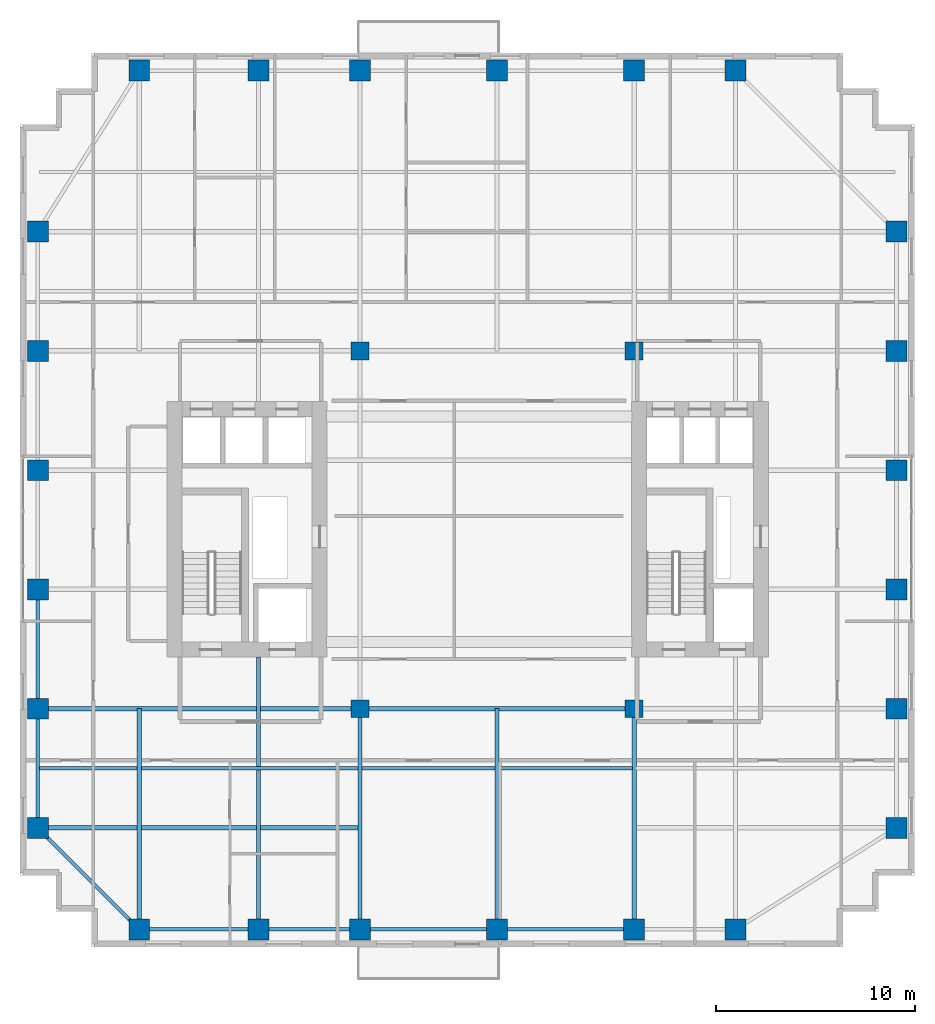
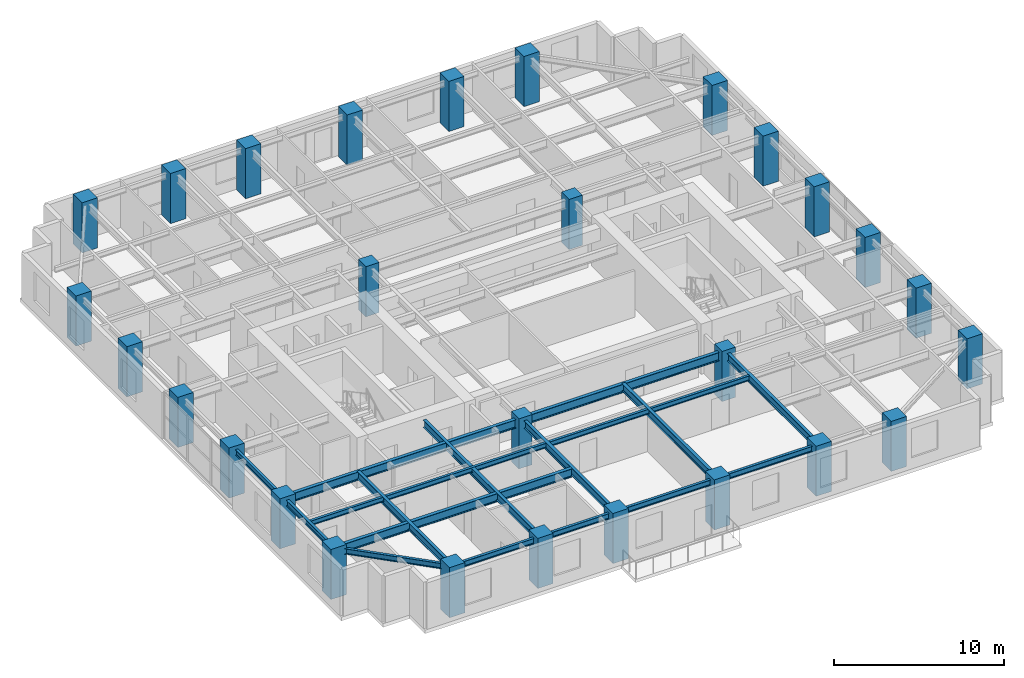
# One storey, part 1 of 14: 28 columns, 17 beams.
"""IFC4 building model written with IfcOpenShell, lengths in metres."""

from ifc_helpers import new_model, si_unit, direction, frame, origin, origin_2d, place, context, subcontext, project, spatial, rectangle, i_section, extrude, source, transform, mapped, material, material_profile, profile_set, type_object, element, save


model = new_model("IFC4")

# Units and contexts
model_context = context("Model", 3, precision=1e-05, world=origin(), true_north=direction((0.0, 1.0)))
body_context = subcontext(model_context, "Body", "Model", "MODEL_VIEW")
ifc_project = project(units=[si_unit("LENGTHUNIT", "METRE"), si_unit("AREAUNIT", "SQUARE_METRE"), si_unit("VOLUMEUNIT", "CUBIC_METRE"), si_unit("PLANEANGLEUNIT", "RADIAN"), si_unit("MASSUNIT", "GRAM", prefix="KILO")], contexts=[model_context])

# Site, building, storey
site_placement = place(None, origin())
site = spatial("IfcSite", under=ifc_project, at=site_placement, CompositionType="ELEMENT")
building_placement = place(site_placement, origin())
building = spatial("IfcBuilding", under=site, at=building_placement, Name="Khoralis Quay Care Tower", CompositionType="ELEMENT")
storey_placement = place(building_placement, frame((0.0, 0.0, 108.89990234375)))
storey = spatial("IfcBuildingStorey", under=building, at=storey_placement, Name="L28", CompositionType="ELEMENT", Elevation=108.89990234375)

# Columns
ifc_material_1 = material(Name="Concrete C65/80", Category="concrete")
ifc_material_profile_1 = material_profile(ifc_material_1, rectangle(XDim=1.050048828125, YDim=1.050048828125, at=origin_2d()), Name="Concrete C65/80")
ifc_profile_set_1 = profile_set([ifc_material_profile_1], Name="Concrete C65/80")
column_type_1 = type_object("IfcColumnType", Name="COL-C1050", PredefinedType="COLUMN", material=ifc_profile_set_1)
shared_shape_1 = source(origin(), body_context, "Body", "SweptSolid", [
    extrude(rectangle(XDim=1.050048828125, YDim=1.050048828125, at=origin_2d()), origin(), (0.0, 0.0, 1.0), 3.60009765625),
])
for number, where, z_axis, x_axis, name in (
    (1, (6.0, 0.89990234375, 0.0), (0.0, 0.0, 1.0), (1.0, 0.0, 0.0), "COL-TWR-L28-01"),
    (2, (6.0, 44.10009765625, 0.0), (0.0, 0.0, 1.0), (1.0, 0.0, 0.0), "COL-TWR-L28-02"),
    (3, (12.0, 0.89990234375, 0.0), (0.0, 0.0, 1.0), (1.0, 0.0, 0.0), "COL-TWR-L28-03"),
    (4, (12.0, 44.10009765625, 0.0), (0.0, 0.0, 1.0), (1.0, 0.0, 0.0), "COL-TWR-L28-04"),
    (5, (17.10009765625, 0.89990234375, 0.0), (0.0, 0.0, 1.0), (1.0, 0.0, 0.0), "COL-TWR-L28-05"),
    (6, (17.10009765625, 44.10009765625, 0.0), (0.0, 0.0, 1.0), (1.0, 0.0, 0.0), "COL-TWR-L28-06"),
    (7, (24.0, 0.89990234375, 0.0), (0.0, 0.0, 1.0), (1.0, 0.0, 0.0), "COL-TWR-L28-07"),
    (8, (24.0, 44.10009765625, 0.0), (0.0, 0.0, 1.0), (1.0, 0.0, 0.0), "COL-TWR-L28-08"),
    (9, (30.89990234375, 0.89990234375, 0.0), (0.0, 0.0, 1.0), (1.0, 0.0, 0.0), "COL-TWR-L28-09"),
    (10, (30.89990234375, 44.10009765625, 0.0), (0.0, 0.0, 1.0), (1.0, 0.0, 0.0), "COL-TWR-L28-10"),
    (11, (36.0, 0.89990234375, 0.0), (0.0, 0.0, 1.0), (1.0, 0.0, 0.0), "COL-TWR-L28-11"),
    (12, (36.0, 44.10009765625, 0.0), (0.0, 0.0, 1.0), (1.0, 0.0, 0.0), "COL-TWR-L28-12"),
    (13, (0.89990234375, 6.0, 0.0), (0.0, 0.0, 1.0), (1.0, 0.0, 0.0), "COL-TWR-L28-13"),
    (14, (44.10009765625, 6.0, 0.0), (0.0, 0.0, 1.0), (1.0, 0.0, 0.0), "COL-TWR-L28-14"),
    (15, (0.89990234375, 12.0, 0.0), (0.0, 0.0, 1.0), (1.0, 0.0, 0.0), "COL-TWR-L28-15"),
    (16, (44.10009765625, 12.0, 0.0), (0.0, 0.0, 1.0), (1.0, 0.0, 0.0), "COL-TWR-L28-16"),
    (17, (0.89990234375, 18.0, 0.0), (0.0, 0.0, 1.0), (1.0, 0.0, 0.0), "COL-TWR-L28-17"),
    (18, (44.10009765625, 18.0, 0.0), (0.0, 0.0, 1.0), (1.0, 0.0, 0.0), "COL-TWR-L28-18"),
    (19, (0.89990234375, 24.0, 0.0), (0.0, 0.0, 1.0), (1.0, 0.0, 0.0), "COL-TWR-L28-19"),
    (20, (44.10009765625, 24.0, 0.0), (0.0, 0.0, 1.0), (1.0, 0.0, 0.0), "COL-TWR-L28-20"),
    (21, (0.89990234375, 30.0, 0.0), (0.0, 0.0, 1.0), (1.0, 0.0, 0.0), "COL-TWR-L28-21"),
    (22, (44.10009765625, 30.0, 0.0), (0.0, 0.0, 1.0), (1.0, 0.0, 0.0), "COL-TWR-L28-22"),
    (23, (0.89990234375, 36.0, 0.0), (0.0, 0.0, 1.0), (1.0, 0.0, 0.0), "COL-TWR-L28-23"),
    (24, (44.10009765625, 36.0, 0.0), (0.0, 0.0, 1.0), (1.0, 0.0, 0.0), "COL-TWR-L28-24"),
):
    element("IfcColumn", number, at=place(storey_placement, frame(where, z_axis=z_axis, x_axis=x_axis)), inside=storey, type_object=column_type_1, Name=name, PredefinedType="COLUMN", context=body_context, shape_type="MappedRepresentation", body=[
        mapped(shared_shape_1, transform((0.0, 0.0, 0.0), scale=1.0)),
    ])
ifc_material_profile_2 = material_profile(ifc_material_1, rectangle(XDim=0.89990234375, YDim=0.89990234375, at=origin_2d()), Name="Concrete C65/80")
ifc_profile_set_2 = profile_set([ifc_material_profile_2], Name="Concrete C65/80")
column_type_2 = type_object("IfcColumnType", Name="COL-C900", PredefinedType="COLUMN", material=ifc_profile_set_2)
shared_shape_2 = source(origin(), body_context, "Body", "SweptSolid", [
    extrude(rectangle(XDim=0.89990234375, YDim=0.89990234375, at=origin_2d()), origin(), (0.0, 0.0, 1.0), 3.60009765625),
])
for number, where, z_axis, x_axis, name in (
    (25, (17.10009765625, 12.0, 0.0), (0.0, 0.0, 1.0), (1.0, 0.0, 0.0), "COL-TWR-L28-25"),
    (26, (17.10009765625, 30.0, 0.0), (0.0, 0.0, 1.0), (1.0, 0.0, 0.0), "COL-TWR-L28-26"),
    (27, (30.89990234375, 12.0, 0.0), (0.0, 0.0, 1.0), (1.0, 0.0, 0.0), "COL-TWR-L28-27"),
    (28, (30.89990234375, 30.0, 0.0), (0.0, 0.0, 1.0), (1.0, 0.0, 0.0), "COL-TWR-L28-28"),
):
    element("IfcColumn", number, at=place(storey_placement, frame(where, z_axis=z_axis, x_axis=x_axis)), inside=storey, type_object=column_type_2, Name=name, PredefinedType="COLUMN", context=body_context, shape_type="MappedRepresentation", body=[
        mapped(shared_shape_2, transform((0.0, 0.0, 0.0), scale=1.0)),
    ])

# Beams
ifc_material_2 = material(Name="Steel S355", Category="steel")
ifc_material_profile_3 = material_profile(ifc_material_2, i_section(OverallWidth=0.179931640625, OverallDepth=0.39990234375, WebThickness=0.008544921875, FlangeThickness=0.013427734375, FilletRadius=0.02099609375, at=origin_2d()), Name="Steel S355")
ifc_profile_set_3 = profile_set([ifc_material_profile_3], Name="Steel S355")
beam_type_1 = type_object("IfcBeamType", Name="BM-IPE400", PredefinedType="SPANDREL", material=ifc_profile_set_3)
shared_shape_3 = source(origin(), body_context, "Body", "SweptSolid", [
    extrude(i_section(OverallWidth=0.179931640625, OverallDepth=0.39990234375, WebThickness=0.008544921875, FlangeThickness=0.013427734375, FilletRadius=0.02099609375, at=origin_2d()), origin(), (0.0, 0.0, 1.0), 6.0),
])
for number, where, z_axis, x_axis, name in (
    (29, (6.0, 0.89990234375, 3.14013671875), (1.0, 0.0, 0.0), (0.0, 1.0, 0.0), "BM-TSP-L28-01"),
    (30, (0.89990234375, 6.0, 3.14013671875), (0.0, 1.0, 0.0), (-1.0, 0.0, 0.0), "BM-TSP-L28-11"),
    (31, (0.89990234375, 12.0, 3.14013671875), (0.0, 1.0, 0.0), (-1.0, 0.0, 0.0), "BM-TSP-L28-12"),
):
    element("IfcBeam", number, at=place(storey_placement, frame(where, z_axis=z_axis, x_axis=x_axis)), inside=storey, type_object=beam_type_1, Name=name, PredefinedType="SPANDREL", context=body_context, shape_type="MappedRepresentation", body=[
        mapped(shared_shape_3, transform((0.0, 0.0, 0.0), scale=1.0)),
    ])
shared_shape_4 = source(origin(), body_context, "Body", "SweptSolid", [
    extrude(i_section(OverallWidth=0.179931640625, OverallDepth=0.39990234375, WebThickness=0.008544921875, FlangeThickness=0.013427734375, FilletRadius=0.02099609375, at=origin_2d()), origin(), (0.0, 0.0, 1.0), 5.10009765625),
])
beam_1_placement = place(storey_placement, frame((12.0, 0.89990234375, 3.14013671875), z_axis=(1.0, 0.0, 0.0), x_axis=(0.0, 1.0, 0.0)))
element("IfcBeam", 32, at=beam_1_placement, inside=storey, type_object=beam_type_1, Name="BM-TSP-L28-02", PredefinedType="SPANDREL", context=body_context, shape_type="MappedRepresentation", body=[
    mapped(shared_shape_4, transform((0.0, 0.0, 0.0), scale=1.0)),
])
shared_shape_5 = source(origin(), body_context, "Body", "SweptSolid", [
    extrude(i_section(OverallWidth=0.179931640625, OverallDepth=0.39990234375, WebThickness=0.008544921875, FlangeThickness=0.013427734375, FilletRadius=0.02099609375, at=origin_2d()), origin(), (0.0, 0.0, 1.0), 6.89990234375),
])
for number, where, z_axis, x_axis, name in (
    (33, (17.10009765625, 0.89990234375, 3.14013671875), (1.0, 0.0, 0.0), (0.0, 1.0, 0.0), "BM-TSP-L28-03"),
    (34, (24.0, 0.89990234375, 3.14013671875), (1.0, 0.0, 0.0), (0.0, 1.0, 0.0), "BM-TSP-L28-04"),
):
    element("IfcBeam", number, at=place(storey_placement, frame(where, z_axis=z_axis, x_axis=x_axis)), inside=storey, type_object=beam_type_1, Name=name, PredefinedType="SPANDREL", context=body_context, shape_type="MappedRepresentation", body=[
        mapped(shared_shape_5, transform((0.0, 0.0, 0.0), scale=1.0)),
    ])
shared_shape_6 = source(origin(), body_context, "Body", "SweptSolid", [
    extrude(i_section(OverallWidth=0.179931640625, OverallDepth=0.39990234375, WebThickness=0.008544921875, FlangeThickness=0.013427734375, FilletRadius=0.02099609375, at=origin_2d()), origin(), (0.0, 0.0, 1.0), 7.212646484375),
])
beam_2_placement = place(storey_placement, frame((6.0, 0.89990234375, 3.14013671875), z_axis=(-0.707106781187, 0.707106781187, 0.0), x_axis=(-0.707106781187, -0.707106781187, 0.0)))
element("IfcBeam", 35, at=beam_2_placement, inside=storey, type_object=beam_type_1, Name="BM-TCR-L28-21", PredefinedType="SPANDREL", context=body_context, shape_type="MappedRepresentation", body=[
    mapped(shared_shape_6, transform((0.0, 0.0, 0.0), scale=1.0)),
])
ifc_material_profile_4 = material_profile(ifc_material_2, i_section(OverallWidth=0.22998046875, OverallDepth=0.616943359375, WebThickness=0.01318359375, FlangeThickness=0.022216796875, FilletRadius=0.01806640625, at=origin_2d()), Name="Steel S355")
ifc_profile_set_4 = profile_set([ifc_material_profile_4], Name="Steel S355")
beam_type_2 = type_object("IfcBeamType", Name="BM-W610X140", PredefinedType="BEAM", material=ifc_profile_set_4)
shared_shape_7 = source(origin(), body_context, "Body", "SweptSolid", [
    extrude(i_section(OverallWidth=0.22998046875, OverallDepth=0.616943359375, WebThickness=0.01318359375, FlangeThickness=0.022216796875, FilletRadius=0.01806640625, at=origin_2d()), origin(), (0.0, 0.0, 1.0), 16.106201171875),
])
beam_3_placement = place(storey_placement, frame((0.89990234375, 6.0, 3.031494140625), z_axis=(1.0, 0.0, 0.0), x_axis=(0.0, 1.0, 0.0)))
element("IfcBeam", 36, at=beam_3_placement, inside=storey, type_object=beam_type_2, Name="BM-TGXW-L28-60", PredefinedType="BEAM", context=body_context, shape_type="MappedRepresentation", body=[
    mapped(shared_shape_7, transform((0.0, 0.0, 0.0), scale=1.0)),
])
shared_shape_8 = source(origin(), body_context, "Body", "SweptSolid", [
    extrude(i_section(OverallWidth=0.22998046875, OverallDepth=0.616943359375, WebThickness=0.01318359375, FlangeThickness=0.022216796875, FilletRadius=0.01806640625, at=origin_2d()), origin(), (0.0, 0.0, 1.0), 16.2001953125),
])
beam_4_placement = place(storey_placement, frame((0.89990234375, 12.0, 3.031494140625), z_axis=(1.0, 0.0, 0.0), x_axis=(0.0, 1.0, 0.0)))
element("IfcBeam", 37, at=beam_4_placement, inside=storey, type_object=beam_type_2, Name="BM-TGXW-L28-120", PredefinedType="BEAM", context=body_context, shape_type="MappedRepresentation", body=[
    mapped(shared_shape_8, transform((0.0, 0.0, 0.0), scale=1.0)),
])
shared_shape_9 = source(origin(), body_context, "Body", "SweptSolid", [
    extrude(i_section(OverallWidth=0.22998046875, OverallDepth=0.616943359375, WebThickness=0.01318359375, FlangeThickness=0.022216796875, FilletRadius=0.01806640625, at=origin_2d()), origin(), (0.0, 0.0, 1.0), 13.7998046875),
])
beam_5_placement = place(storey_placement, frame((17.10009765625, 12.0, 3.031494140625), z_axis=(1.0, 0.0, 0.0), x_axis=(0.0, 1.0, 0.0)))
element("IfcBeam", 38, at=beam_5_placement, inside=storey, type_object=beam_type_2, Name="BM-TGCC-L28-120", PredefinedType="BEAM", context=body_context, shape_type="MappedRepresentation", body=[
    mapped(shared_shape_9, transform((0.0, 0.0, 0.0), scale=1.0)),
])
ifc_material_profile_5 = material_profile(ifc_material_2, i_section(OverallWidth=0.2119140625, OverallDepth=0.5439453125, WebThickness=0.01318359375, FlangeThickness=0.021240234375, FilletRadius=0.01611328125, at=origin_2d()), Name="Steel S355")
ifc_profile_set_5 = profile_set([ifc_material_profile_5], Name="Steel S355")
beam_type_3 = type_object("IfcBeamType", Name="BM-W530X123", PredefinedType="BEAM", material=ifc_profile_set_5)
shared_shape_10 = source(origin(), body_context, "Body", "SweptSolid", [
    extrude(i_section(OverallWidth=0.2119140625, OverallDepth=0.5439453125, WebThickness=0.01318359375, FlangeThickness=0.021240234375, FilletRadius=0.01611328125, at=origin_2d()), origin(), (0.0, 0.0, 1.0), 11.10009765625),
])
for number, where, z_axis, x_axis, name in (
    (39, (6.0, 0.89990234375, 3.068115234375), (0.0, 1.0, 0.0), (-1.0, 0.0, 0.0), "BM-TGYS-L28-60"),
    (40, (17.10009765625, 0.89990234375, 3.068115234375), (0.0, 1.0, 0.0), (-1.0, 0.0, 0.0), "BM-TGYS-L28-171"),
    (41, (24.0, 0.89990234375, 3.068115234375), (0.0, 1.0, 0.0), (-1.0, 0.0, 0.0), "BM-TGYS-L28-240"),
    (42, (30.89990234375, 0.89990234375, 3.068115234375), (0.0, 1.0, 0.0), (-1.0, 0.0, 0.0), "BM-TGYS-L28-309"),
):
    element("IfcBeam", number, at=place(storey_placement, frame(where, z_axis=z_axis, x_axis=x_axis)), inside=storey, type_object=beam_type_3, Name=name, PredefinedType="BEAM", context=body_context, shape_type="MappedRepresentation", body=[
        mapped(shared_shape_10, transform((0.0, 0.0, 0.0), scale=1.0)),
    ])
shared_shape_11 = source(origin(), body_context, "Body", "SweptSolid", [
    extrude(i_section(OverallWidth=0.2119140625, OverallDepth=0.5439453125, WebThickness=0.01318359375, FlangeThickness=0.021240234375, FilletRadius=0.01611328125, at=origin_2d()), origin(), (0.0, 0.0, 1.0), 13.7021484375),
])
beam_6_placement = place(storey_placement, frame((12.0, 0.89990234375, 3.068115234375), z_axis=(0.0, 1.0, 0.0), x_axis=(-1.0, 0.0, 0.0)))
element("IfcBeam", 43, at=beam_6_placement, inside=storey, type_object=beam_type_3, Name="BM-TGYS-L28-120", PredefinedType="BEAM", context=body_context, shape_type="MappedRepresentation", body=[
    mapped(shared_shape_11, transform((0.0, 0.0, 0.0), scale=1.0)),
])
ifc_material_profile_6 = material_profile(ifc_material_2, i_section(OverallWidth=0.1708984375, OverallDepth=0.35498046875, WebThickness=0.007080078125, FlangeThickness=0.01171875, FilletRadius=0.012939453125, at=origin_2d()), Name="Steel S355")
ifc_profile_set_6 = profile_set([ifc_material_profile_6], Name="Steel S355")
beam_type_4 = type_object("IfcBeamType", Name="BM-W360X51", PredefinedType="JOIST", material=ifc_profile_set_6)
shared_shape_12 = source(origin(), body_context, "Body", "SweptSolid", [
    extrude(i_section(OverallWidth=0.1708984375, OverallDepth=0.35498046875, WebThickness=0.007080078125, FlangeThickness=0.01171875, FilletRadius=0.012939453125, at=origin_2d()), origin(), (0.0, 0.0, 1.0), 16.030029296875),
])
beam_7_placement = place(storey_placement, frame((0.97607421875, 9.0, 3.16259765625), z_axis=(1.0, 0.0, 0.0), x_axis=(0.0, 1.0, 0.0)))
element("IfcBeam", 44, at=beam_7_placement, inside=storey, type_object=beam_type_4, Name="BM-TJS-L28-25", PredefinedType="JOIST", context=body_context, shape_type="MappedRepresentation", body=[
    mapped(shared_shape_12, transform((0.0, 0.0, 0.0), scale=1.0)),
])
shared_shape_13 = source(origin(), body_context, "Body", "SweptSolid", [
    extrude(i_section(OverallWidth=0.1708984375, OverallDepth=0.35498046875, WebThickness=0.007080078125, FlangeThickness=0.01171875, FilletRadius=0.012939453125, at=origin_2d()), origin(), (0.0, 0.0, 1.0), 13.61181640625),
])
beam_8_placement = place(storey_placement, frame((17.194091796875, 9.0, 3.16259765625), z_axis=(1.0, 0.0, 0.0), x_axis=(0.0, 1.0, 0.0)))
element("IfcBeam", 45, at=beam_8_placement, inside=storey, type_object=beam_type_4, Name="BM-TJS-L28-27", PredefinedType="JOIST", context=body_context, shape_type="MappedRepresentation", body=[
    mapped(shared_shape_13, transform((0.0, 0.0, 0.0), scale=1.0)),
])

save(model, "model.ifc")
